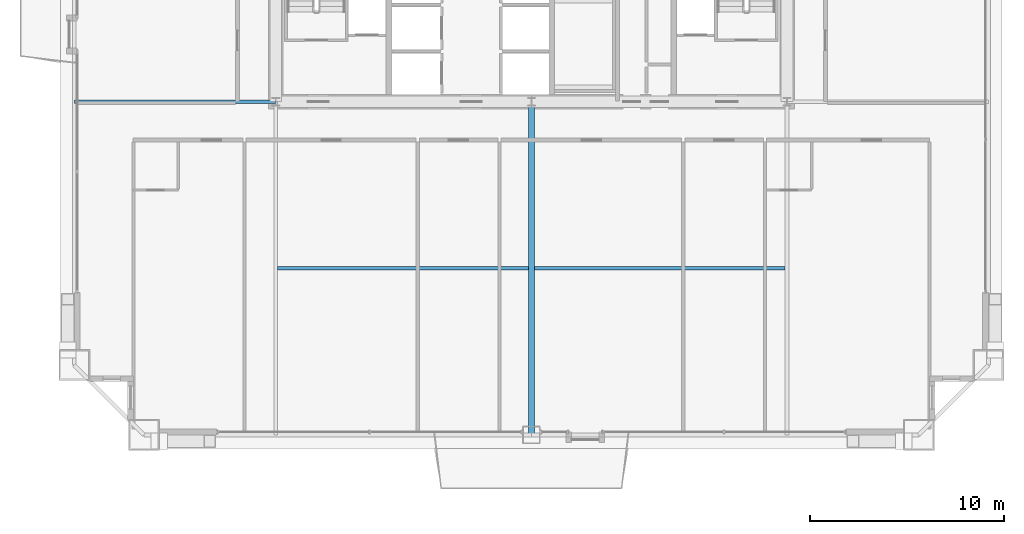
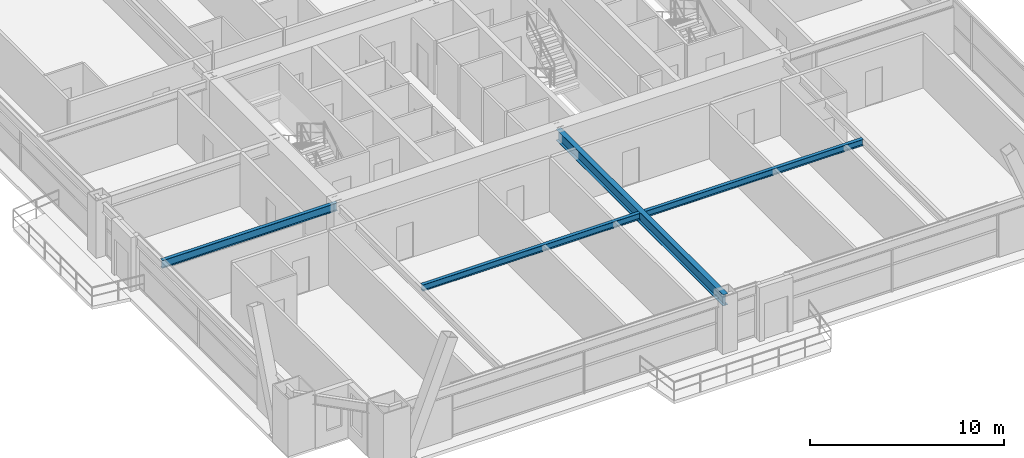
# One storey, part 12 of 42: 4 beams.
"""IFC4 building model written with IfcOpenShell, lengths in metres."""

from ifc_helpers import new_model, si_unit, direction, frame, origin, origin_2d, place, context, subcontext, project, spatial, i_section, extrude, source, transform, mapped, material, material_profile, profile_set, type_object, element, save


model = new_model("IFC4")

# Units and contexts
model_context = context("Model", 3, precision=1e-05, world=origin(), true_north=direction((0.0, 1.0)))
body_context = subcontext(model_context, "Body", "Model", "MODEL_VIEW")
ifc_project = project(units=[si_unit("LENGTHUNIT", "METRE"), si_unit("AREAUNIT", "SQUARE_METRE"), si_unit("VOLUMEUNIT", "CUBIC_METRE"), si_unit("PLANEANGLEUNIT", "RADIAN"), si_unit("MASSUNIT", "GRAM", prefix="KILO"), si_unit("THERMODYNAMICTEMPERATUREUNIT", "KELVIN"), si_unit("POWERUNIT", "WATT")], contexts=[model_context])

# Site, building, storey
site_placement = place(None, origin())
site = spatial("IfcSite", under=ifc_project, at=site_placement, CompositionType="ELEMENT")
building_placement = place(site_placement, origin())
building = spatial("IfcBuilding", under=site, at=building_placement, Name="Yuzanri Waterfront Tower", CompositionType="ELEMENT")
storey_placement = place(building_placement, frame((0.0, 0.0, 145.199951171875)))
storey = spatial("IfcBuildingStorey", under=building, at=storey_placement, Name="L38", CompositionType="ELEMENT", Elevation=145.199951171875)

# Beams
ifc_material_1 = material(Name="Steel Q355B", Category="steel")
ifc_material_profile_1 = material_profile(ifc_material_1, i_section(OverallWidth=0.199951171875, OverallDepth=0.39990234375, WebThickness=0.008056640625, FlangeThickness=0.012939453125, at=origin_2d()), Name="HN 400x200x8x13")
ifc_profile_set_1 = profile_set([ifc_material_profile_1], Name="Steel Q355B")
beam_type_1 = type_object("IfcBeamType", Name="Floor Joist Q355B HN 400x200", PredefinedType="JOIST", material=ifc_profile_set_1)
shared_shape_1 = source(origin(), body_context, "Body", "SweptSolid", [
    extrude(i_section(OverallWidth=0.199951171875, OverallDepth=0.39990234375, WebThickness=0.008056640625, FlangeThickness=0.012939453125, at=origin_2d()), origin(), (0.0, 0.0, 1.0), 12.9501953125),
])
for number, where, z_axis, x_axis, name in (
    (1, (23.89990234375, 10.800048828125, 3.179931640625), (1.0, 0.0, 0.0), (0.0, 1.0, 0.0), "L38 South Bay Joist W"),
    (2, (37.14990234375, 10.800048828125, 3.179931640625), (1.0, 0.0, 0.0), (0.0, 1.0, 0.0), "L38 South Bay Joist E"),
):
    element("IfcBeam", number, at=place(storey_placement, frame(where, z_axis=z_axis, x_axis=x_axis)), inside=storey, type_object=beam_type_1, Name=name, PredefinedType="JOIST", context=body_context, shape_type="MappedRepresentation", body=[
        mapped(shared_shape_1, transform((0.0, 0.0, 0.0), scale=1.0)),
    ])
ifc_material_2 = material(Name="Steel Q355B", Category="steel")
ifc_material_profile_2 = material_profile(ifc_material_2, i_section(OverallWidth=0.300048828125, OverallDepth=0.699951171875, WebThickness=0.012939453125, FlangeThickness=0.02392578125, at=origin_2d()), Name="HN 700x300x13x24")
ifc_profile_set_2 = profile_set([ifc_material_profile_2], Name="Steel Q355B")
beam_type_2 = type_object("IfcBeamType", Name="Primary Floor Girder Q355B HN 700x300", PredefinedType="BEAM", material=ifc_profile_set_2)
shared_shape_2 = source(origin(), body_context, "Body", "SweptSolid", [
    extrude(i_section(OverallWidth=0.300048828125, OverallDepth=0.699951171875, WebThickness=0.012939453125, FlangeThickness=0.02392578125, at=origin_2d()), origin(), (0.0, 0.0, 1.0), 17.199951171875),
])
beam_1_placement = place(storey_placement, frame((37.0, 19.39990234375, 3.030029296875), z_axis=(0.0, -1.0, 0.0), x_axis=(1.0, 0.0, 0.0)))
element("IfcBeam", 3, at=beam_1_placement, inside=storey, type_object=beam_type_2, Name="L38 South Grid Girder", PredefinedType="BEAM", context=body_context, shape_type="MappedRepresentation", body=[
    mapped(shared_shape_2, transform((0.0, 0.0, 0.0), scale=1.0)),
])
ifc_material_3 = material(Name="Steel Q355B", Category="steel")
ifc_material_profile_3 = material_profile(ifc_material_3, i_section(OverallWidth=0.199951171875, OverallDepth=0.5, WebThickness=0.010009765625, FlangeThickness=0.01611328125, at=origin_2d()), Name="HN 500x200x10x16")
ifc_profile_set_3 = profile_set([ifc_material_profile_3], Name="Steel Q355B")
beam_type_3 = type_object("IfcBeamType", Name="Secondary Floor Beam Q355B HN 500x200", PredefinedType="BEAM", material=ifc_profile_set_3)
shared_shape_3 = source(origin(), body_context, "Body", "SweptSolid", [
    extrude(i_section(OverallWidth=0.199951171875, OverallDepth=0.5, WebThickness=0.010009765625, FlangeThickness=0.01611328125, at=origin_2d()), origin(), (0.0, 0.0, 1.0), 10.400146484375),
])
beam_2_placement = place(storey_placement, frame((23.800048828125, 19.39990234375, 3.130126953125), z_axis=(-1.0, 0.0, 0.0), x_axis=(0.0, -1.0, 0.0)))
element("IfcBeam", 4, at=beam_2_placement, inside=storey, type_object=beam_type_3, Name="L38 West-South Core Line Beam", PredefinedType="BEAM", context=body_context, shape_type="MappedRepresentation", body=[
    mapped(shared_shape_3, transform((0.0, 0.0, 0.0), scale=1.0)),
])

save(model, "model.ifc")
